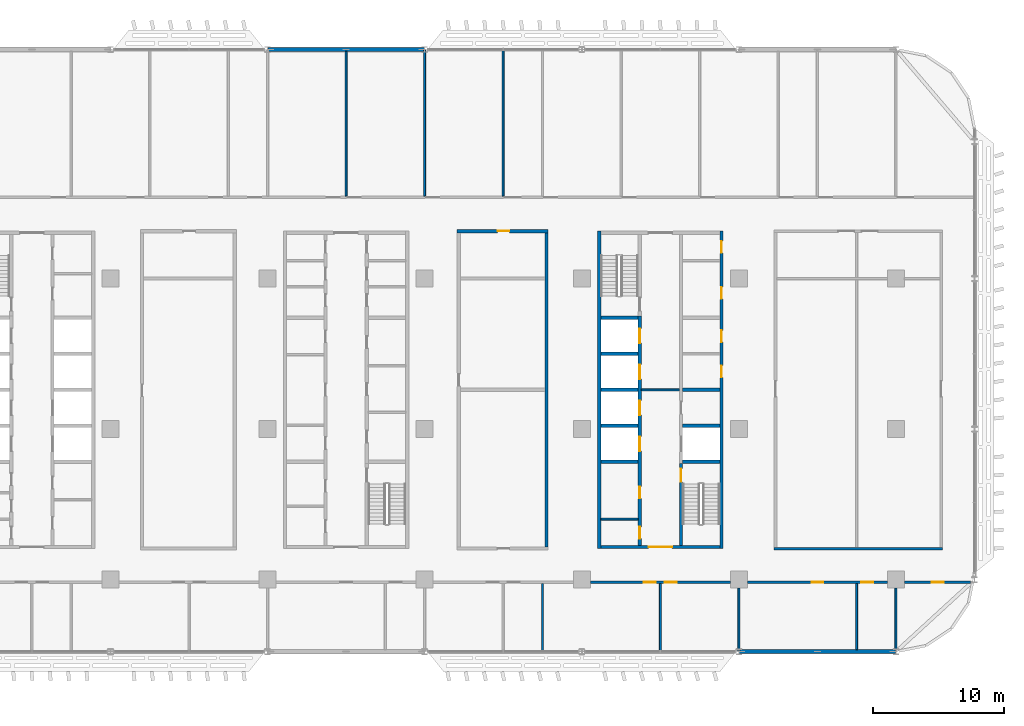
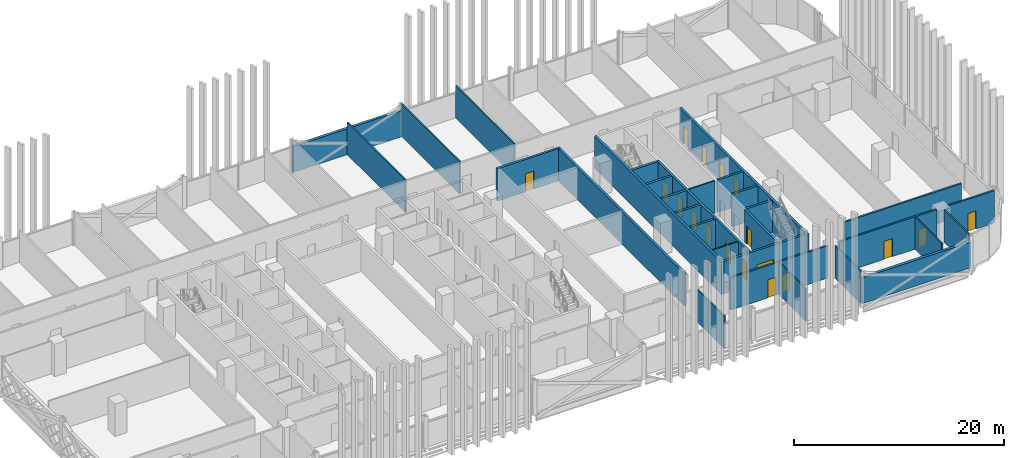
# One storey, part 17 of 32: 31 walls, 18 doors, 18 openings.
"""IFC4 building model written with IfcOpenShell, lengths in metres."""

from ifc_helpers import new_model, si_unit, direction, frame, frame_2d, origin, place, context, subcontext, project, spatial, rectangle, extrude, material, layer, layer_set, type_object, element, fill, save


model = new_model("IFC4")

# Units and contexts
model_context = context("Model", 3, precision=1e-05, world=origin(), true_north=direction((0.0, 1.0)))
body_context = subcontext(model_context, "Body", "Model", "MODEL_VIEW")
ifc_project = project(units=[si_unit("LENGTHUNIT", "METRE"), si_unit("AREAUNIT", "SQUARE_METRE"), si_unit("VOLUMEUNIT", "CUBIC_METRE"), si_unit("PLANEANGLEUNIT", "RADIAN"), si_unit("MASSUNIT", "GRAM", prefix="KILO")], contexts=[model_context])

# Site, building, storey
site_placement = place(None, origin())
site = spatial("IfcSite", under=ifc_project, at=site_placement, CompositionType="ELEMENT")
building_placement = place(site_placement, origin())
building = spatial("IfcBuilding", under=site, at=building_placement, Name="Mahtab Terrace Research Tower", CompositionType="ELEMENT")
storey_placement = place(building_placement, frame((0.0, 0.0, 138.39990234375)))
storey = spatial("IfcBuildingStorey", under=building, at=storey_placement, Name="L32", CompositionType="ELEMENT", Elevation=138.39990234375)

# Walls
ifc_material_1 = material(Name="Gypsum board partition")
ifc_layer_1 = layer(ifc_material_1, 0.14990234375)
ifc_layer_set_1 = layer_set([ifc_layer_1], Name="Core partition 150")
wall_type_1 = type_object("IfcWallType", Name="Core partition 150", PredefinedType="PARTITIONING", material=ifc_layer_set_1)
wall_1_placement = place(storey_placement, frame((22.550048828125, 3.0, 0.0), z_axis=(0.0, 0.0, 1.0), x_axis=(1.0, 0.0, 0.0)))
element("IfcWall", 1, at=wall_1_placement, inside=storey, type_object=wall_type_1, Name="Core wall C ffl", PredefinedType="PARTITIONING", context=body_context, shape_type="SweptSolid", body=[
    extrude(rectangle(XDim=2.89990234375, YDim=0.14990234375, at=frame_2d((1.449951171875, 0.0))), origin(), (0.0, 0.0, 1.0), 3.760009765625),
])
wall_2_placement = place(storey_placement, frame((19.449951171875, -6.875, 0.0), z_axis=(0.0, 0.0, 1.0), x_axis=(1.0, 0.0, 0.0)))
element("IfcWall", 2, at=wall_2_placement, inside=storey, type_object=wall_type_1, Name="Core wall C pWS-988", PredefinedType="PARTITIONING", context=body_context, shape_type="SweptSolid", body=[
    extrude(rectangle(XDim=2.85009765625, YDim=0.14990234375, at=frame_2d((1.425048828125, 0.0))), origin(), (0.0, 0.0, 1.0), 3.760009765625),
])
ifc_material_2 = material(Name="Concrete C70/85", Category="concrete")
ifc_layer_2 = layer(ifc_material_2, 0.25)
ifc_layer_set_2 = layer_set([ifc_layer_2], Name="Core wall 250")
wall_type_2 = type_object("IfcWallType", Name="Core wall 250", PredefinedType="SOLIDWALL", material=ifc_layer_set_2)
wall_3_placement = place(storey_placement, frame((19.324951171875, 15.125, 0.0), z_axis=(0.0, 0.0, 1.0), x_axis=(0.0, -1.0, 0.0)))
element("IfcWall", 3, at=wall_3_placement, inside=storey, type_object=wall_type_2, Name="Core wall C outerW", PredefinedType="SOLIDWALL", context=body_context, shape_type="SweptSolid", body=[
    extrude(rectangle(XDim=24.25, YDim=0.25, at=frame_2d((12.125, 0.0))), origin(), (0.0, 0.0, 1.0), 3.760009765625),
])

# Wall, openings, doors
wall_4_placement = place(storey_placement, frame((28.675048828125, -9.125, 0.0), z_axis=(0.0, 0.0, 1.0), x_axis=(0.0, 1.0, 0.0)))
wall_4 = element("IfcWall", 4, at=wall_4_placement, inside=storey, type_object=wall_type_2, Name="Core wall C outerE", PredefinedType="SOLIDWALL", context=body_context, shape_type="SweptSolid", body=[
    extrude(rectangle(XDim=24.25, YDim=0.25, at=frame_2d((12.125, 0.0))), origin(), (0.0, 0.0, 1.0), 3.760009765625),
])
opening_1_placement = place(wall_4_placement, frame((13.074951171875, 0.0, 0.0)))
opening_1 = element("IfcOpeningElement", 5, at=opening_1_placement, cuts=wall_4, Name="Opening C-R2", PredefinedType="OPENING", context=body_context, shape_type="SweptSolid", body=[
    extrude(rectangle(XDim=0.89990234375, YDim=2.10009765625, at=frame_2d((0.449951171875, 1.050048828125))), frame((0.0, 0.135009765625, 0.0), z_axis=(0.0, -1.0, 0.0), x_axis=(1.0, 0.0, 0.0)), (0.0, 0.0, 1.0), 0.27001953125),
])
opening_2_placement = place(wall_4_placement, frame((15.77490234375, 0.0, 0.0)))
opening_2 = element("IfcOpeningElement", 6, at=opening_2_placement, cuts=wall_4, Name="Opening C-R3", PredefinedType="OPENING", context=body_context, shape_type="SweptSolid", body=[
    extrude(rectangle(XDim=0.89990234375, YDim=2.10009765625, at=frame_2d((0.449951171875, 1.050048828125))), frame((0.0, 0.135009765625, 0.0), z_axis=(0.0, -1.0, 0.0), x_axis=(1.0, 0.0, 0.0)), (0.0, 0.0, 1.0), 0.27001953125),
])
opening_3_placement = place(wall_4_placement, frame((19.074951171875, 0.0, 0.0)))
opening_3 = element("IfcOpeningElement", 7, at=opening_3_placement, cuts=wall_4, Name="Opening C-R6", PredefinedType="OPENING", context=body_context, shape_type="SweptSolid", body=[
    extrude(rectangle(XDim=0.89990234375, YDim=2.10009765625, at=frame_2d((0.449951171875, 1.050048828125))), frame((0.0, 0.135009765625, 0.0), z_axis=(0.0, -1.0, 0.0), x_axis=(1.0, 0.0, 0.0)), (0.0, 0.0, 1.0), 0.27001953125),
])
opening_4_placement = place(wall_4_placement, frame((22.58740234375, 0.0, 0.0)))
opening_4 = element("IfcOpeningElement", 8, at=opening_4_placement, cuts=wall_4, Name="Opening C-R7", PredefinedType="OPENING", context=body_context, shape_type="SweptSolid", body=[
    extrude(rectangle(XDim=0.89990234375, YDim=2.10009765625, at=frame_2d((0.449951171875, 1.050048828125))), frame((0.0, 0.135009765625, 0.0), z_axis=(0.0, -1.0, 0.0), x_axis=(1.0, 0.0, 0.0)), (0.0, 0.0, 1.0), 0.27001953125),
])
ifc_material_3 = material(Name="Steel fire door", Category="steel")
door_type_1 = type_object("IfcDoorType", Name="Room door 900x2100 1 HR", OperationType="NOTDEFINED", PredefinedType="DOOR", material=ifc_material_3)
door_1_placement = place(opening_1_placement, origin())
door_1 = element("IfcDoor", 9, at=door_1_placement, inside=storey, type_object=door_type_1, Name="Document store door", OperationType="SINGLE_SWING_RIGHT", OverallHeight=2.10009765625, OverallWidth=0.89990234375, PredefinedType="DOOR", context=body_context, shape_type="SweptSolid", body=[
    extrude(rectangle(XDim=0.89990234375, YDim=2.10009765625, at=frame_2d((0.449951171875, 1.050048828125))), frame((0.0, 0.02490234375, 0.0), z_axis=(0.0, -1.0, 0.0), x_axis=(1.0, 0.0, 0.0)), (0.0, 0.0, 1.0), 0.050048828125),
])
fill(opening_1, door_1)
door_2_placement = place(opening_2_placement, origin())
door_2 = element("IfcDoor", 10, at=door_2_placement, inside=storey, type_object=door_type_1, Name="IT equipment room door", OperationType="SINGLE_SWING_LEFT", OverallHeight=2.10009765625, OverallWidth=0.89990234375, PredefinedType="DOOR", context=body_context, shape_type="SweptSolid", body=[
    extrude(rectangle(XDim=0.89990234375, YDim=2.10009765625, at=frame_2d((0.449951171875, 1.050048828125))), frame((0.0, 0.02490234375, 0.0), z_axis=(0.0, -1.0, 0.0), x_axis=(1.0, 0.0, 0.0)), (0.0, 0.0, 1.0), 0.050048828125),
])
fill(opening_2, door_2)
door_3_placement = place(opening_3_placement, origin())
door_3 = element("IfcDoor", 11, at=door_3_placement, inside=storey, type_object=door_type_1, Name="IT equipment room door", OperationType="SINGLE_SWING_RIGHT", OverallHeight=2.10009765625, OverallWidth=0.89990234375, PredefinedType="DOOR", context=body_context, shape_type="SweptSolid", body=[
    extrude(rectangle(XDim=0.89990234375, YDim=2.10009765625, at=frame_2d((0.449951171875, 1.050048828125))), frame((0.0, 0.02490234375, 0.0), z_axis=(0.0, -1.0, 0.0), x_axis=(1.0, 0.0, 0.0)), (0.0, 0.0, 1.0), 0.050048828125),
])
fill(opening_3, door_3)
door_4_placement = place(opening_4_placement, origin())
door_4 = element("IfcDoor", 12, at=door_4_placement, inside=storey, type_object=door_type_1, Name="Electrical riser room door", OperationType="SINGLE_SWING_LEFT", OverallHeight=2.10009765625, OverallWidth=0.89990234375, PredefinedType="DOOR", context=body_context, shape_type="SweptSolid", body=[
    extrude(rectangle(XDim=0.89990234375, YDim=2.10009765625, at=frame_2d((0.449951171875, 1.050048828125))), frame((0.0, 0.02490234375, 0.0), z_axis=(0.0, -1.0, 0.0), x_axis=(1.0, 0.0, 0.0)), (0.0, 0.0, 1.0), 0.050048828125),
])
fill(opening_4, door_4)

# Wall, opening, door
wall_5_placement = place(storey_placement, frame((28.550048828125, -9.0, 0.0), z_axis=(0.0, 0.0, 1.0), x_axis=(-1.0, 0.0, 0.0)))
wall_5 = element("IfcWall", 13, at=wall_5_placement, inside=storey, type_object=wall_type_2, Name="Core wall C endS", PredefinedType="SOLIDWALL", context=body_context, shape_type="SweptSolid", body=[
    extrude(rectangle(XDim=9.10009765625, YDim=0.25, at=frame_2d((4.550048828125, 0.0))), origin(), (0.0, 0.0, 1.0), 3.760009765625),
])
opening_5_placement = place(wall_5_placement, frame((3.64990234375, 0.0, 0.0)))
opening_5 = element("IfcOpeningElement", 14, at=opening_5_placement, cuts=wall_5, Name="Opening C-S1", PredefinedType="OPENING", context=body_context, shape_type="SweptSolid", body=[
    extrude(rectangle(XDim=1.800048828125, YDim=2.10009765625, at=frame_2d((0.89990234375, 1.050048828125))), frame((0.0, 0.135009765625, 0.0), z_axis=(0.0, -1.0, 0.0), x_axis=(1.0, 0.0, 0.0)), (0.0, 0.0, 1.0), 0.27001953125),
])
door_type_2 = type_object("IfcDoorType", Name="Lobby double door 1800x2100 1 HR", OperationType="DOUBLE_DOOR_SINGLE_SWING", PredefinedType="DOOR", material=ifc_material_3)
door_5_placement = place(opening_5_placement, origin())
door_5 = element("IfcDoor", 15, at=door_5_placement, inside=storey, type_object=door_type_2, Name="Core entrance door C S", OperationType="DOUBLE_DOOR_SINGLE_SWING", OverallHeight=2.10009765625, OverallWidth=1.800048828125, PredefinedType="DOOR", context=body_context, shape_type="SweptSolid", body=[
    extrude(rectangle(XDim=1.800048828125, YDim=2.10009765625, at=frame_2d((0.89990234375, 1.050048828125))), frame((0.0, 0.02490234375, 0.0), z_axis=(0.0, -1.0, 0.0), x_axis=(1.0, 0.0, 0.0)), (0.0, 0.0, 1.0), 0.050048828125),
])
fill(opening_5, door_5)

# Wall, openings, doors
wall_6_placement = place(storey_placement, frame((22.425048828125, -8.875, 0.0), z_axis=(0.0, 0.0, 1.0), x_axis=(0.0, 1.0, 0.0)))
wall_6 = element("IfcWall", 16, at=wall_6_placement, inside=storey, type_object=wall_type_2, Name="Core wall C innerWSL", PredefinedType="SOLIDWALL", context=body_context, shape_type="SweptSolid", body=[
    extrude(rectangle(XDim=17.5, YDim=0.25, at=frame_2d((8.75, 0.0))), origin(), (0.0, 0.0, 1.0), 3.760009765625),
])
opening_6_placement = place(wall_6_placement, frame((7.199951171875, 0.0, 0.0)))
opening_6 = element("IfcOpeningElement", 17, at=opening_6_placement, cuts=wall_6, Name="Opening LD17-L32", PredefinedType="OPENING", context=body_context, shape_type="SweptSolid", body=[
    extrude(rectangle(XDim=1.10009765625, YDim=2.10009765625, at=frame_2d((0.550048828125, 1.050048828125))), frame((0.0, 0.135009765625, 0.0), z_axis=(0.0, -1.0, 0.0), x_axis=(1.0, 0.0, 0.0)), (0.0, 0.0, 1.0), 0.27001953125),
])
opening_7_placement = place(wall_6_placement, frame((9.949951171875, 0.0, 0.0)))
opening_7 = element("IfcOpeningElement", 18, at=opening_7_placement, cuts=wall_6, Name="Opening LD18-L32", PredefinedType="OPENING", context=body_context, shape_type="SweptSolid", body=[
    extrude(rectangle(XDim=1.10009765625, YDim=2.10009765625, at=frame_2d((0.550048828125, 1.050048828125))), frame((0.0, 0.135009765625, 0.0), z_axis=(0.0, -1.0, 0.0), x_axis=(1.0, 0.0, 0.0)), (0.0, 0.0, 1.0), 0.27001953125),
])
opening_8_placement = place(wall_6_placement, frame((12.699951171875, 0.0, 0.0)))
opening_8 = element("IfcOpeningElement", 19, at=opening_8_placement, cuts=wall_6, Name="Opening LD19-L32", PredefinedType="OPENING", context=body_context, shape_type="SweptSolid", body=[
    extrude(rectangle(XDim=1.10009765625, YDim=2.10009765625, at=frame_2d((0.550048828125, 1.050048828125))), frame((0.0, 0.135009765625, 0.0), z_axis=(0.0, -1.0, 0.0), x_axis=(1.0, 0.0, 0.0)), (0.0, 0.0, 1.0), 0.27001953125),
])
opening_9_placement = place(wall_6_placement, frame((15.449951171875, 0.0, 0.0)))
opening_9 = element("IfcOpeningElement", 20, at=opening_9_placement, cuts=wall_6, Name="Opening LD20-L32", PredefinedType="OPENING", context=body_context, shape_type="SweptSolid", body=[
    extrude(rectangle(XDim=1.10009765625, YDim=2.10009765625, at=frame_2d((0.550048828125, 1.050048828125))), frame((0.0, 0.135009765625, 0.0), z_axis=(0.0, -1.0, 0.0), x_axis=(1.0, 0.0, 0.0)), (0.0, 0.0, 1.0), 0.27001953125),
])
opening_10_placement = place(wall_6_placement, frame((0.512451171875, 0.0, 0.0)))
opening_10 = element("IfcOpeningElement", 21, at=opening_10_placement, cuts=wall_6, Name="Opening C-R4", PredefinedType="OPENING", context=body_context, shape_type="SweptSolid", body=[
    extrude(rectangle(XDim=0.89990234375, YDim=2.10009765625, at=frame_2d((0.449951171875, 1.050048828125))), frame((0.0, 0.135009765625, 0.0), z_axis=(0.0, -1.0, 0.0), x_axis=(1.0, 0.0, 0.0)), (0.0, 0.0, 1.0), 0.27001953125),
])
opening_11_placement = place(wall_6_placement, frame((3.58740234375, 0.0, 0.0)))
opening_11 = element("IfcOpeningElement", 22, at=opening_11_placement, cuts=wall_6, Name="Opening C-R5", PredefinedType="OPENING", context=body_context, shape_type="SweptSolid", body=[
    extrude(rectangle(XDim=0.89990234375, YDim=2.10009765625, at=frame_2d((0.449951171875, 1.050048828125))), frame((0.0, 0.135009765625, 0.0), z_axis=(0.0, -1.0, 0.0), x_axis=(1.0, 0.0, 0.0)), (0.0, 0.0, 1.0), 0.27001953125),
])
ifc_material_4 = material(Name="Stainless steel AISI 304", Category="steel")
door_type_3 = type_object("IfcDoorType", Name="Landing door 1100x2100", OperationType="DOUBLE_DOOR_SLIDING", PredefinedType="DOOR", material=ifc_material_4)
door_6_placement = place(opening_6_placement, origin())
door_6 = element("IfcDoor", 23, at=door_6_placement, inside=storey, type_object=door_type_3, Name="Landing door SV1 L32", OperationType="DOUBLE_DOOR_SLIDING", OverallHeight=2.10009765625, OverallWidth=1.10009765625, PredefinedType="DOOR", context=body_context, shape_type="SweptSolid", body=[
    extrude(rectangle(XDim=1.10009765625, YDim=2.10009765625, at=frame_2d((0.550048828125, 1.050048828125))), frame((0.0, 0.02490234375, 0.0), z_axis=(0.0, -1.0, 0.0), x_axis=(1.0, 0.0, 0.0)), (0.0, 0.0, 1.0), 0.050048828125),
])
fill(opening_6, door_6)
door_7_placement = place(opening_7_placement, origin())
door_7 = element("IfcDoor", 24, at=door_7_placement, inside=storey, type_object=door_type_3, Name="Landing door SV2 L32", OperationType="DOUBLE_DOOR_SLIDING", OverallHeight=2.10009765625, OverallWidth=1.10009765625, PredefinedType="DOOR", context=body_context, shape_type="SweptSolid", body=[
    extrude(rectangle(XDim=1.10009765625, YDim=2.10009765625, at=frame_2d((0.550048828125, 1.050048828125))), frame((0.0, 0.02490234375, 0.0), z_axis=(0.0, -1.0, 0.0), x_axis=(1.0, 0.0, 0.0)), (0.0, 0.0, 1.0), 0.050048828125),
])
fill(opening_7, door_7)
door_8_placement = place(opening_8_placement, origin())
door_8 = element("IfcDoor", 25, at=door_8_placement, inside=storey, type_object=door_type_3, Name="Landing door FF1 L32", OperationType="DOUBLE_DOOR_SLIDING", OverallHeight=2.10009765625, OverallWidth=1.10009765625, PredefinedType="DOOR", context=body_context, shape_type="SweptSolid", body=[
    extrude(rectangle(XDim=1.10009765625, YDim=2.10009765625, at=frame_2d((0.550048828125, 1.050048828125))), frame((0.0, 0.02490234375, 0.0), z_axis=(0.0, -1.0, 0.0), x_axis=(1.0, 0.0, 0.0)), (0.0, 0.0, 1.0), 0.050048828125),
])
fill(opening_8, door_8)
door_9_placement = place(opening_9_placement, origin())
door_9 = element("IfcDoor", 26, at=door_9_placement, inside=storey, type_object=door_type_3, Name="Landing door FF2 L32", OperationType="DOUBLE_DOOR_SLIDING", OverallHeight=2.10009765625, OverallWidth=1.10009765625, PredefinedType="DOOR", context=body_context, shape_type="SweptSolid", body=[
    extrude(rectangle(XDim=1.10009765625, YDim=2.10009765625, at=frame_2d((0.550048828125, 1.050048828125))), frame((0.0, 0.02490234375, 0.0), z_axis=(0.0, -1.0, 0.0), x_axis=(1.0, 0.0, 0.0)), (0.0, 0.0, 1.0), 0.050048828125),
])
fill(opening_9, door_9)
door_10_placement = place(opening_10_placement, origin())
door_10 = element("IfcDoor", 27, at=door_10_placement, inside=storey, type_object=door_type_1, Name="Accessible WC door", OperationType="SINGLE_SWING_RIGHT", OverallHeight=2.10009765625, OverallWidth=0.89990234375, PredefinedType="DOOR", context=body_context, shape_type="SweptSolid", body=[
    extrude(rectangle(XDim=0.89990234375, YDim=2.10009765625, at=frame_2d((0.449951171875, 1.050048828125))), frame((0.0, 0.02490234375, 0.0), z_axis=(0.0, -1.0, 0.0), x_axis=(1.0, 0.0, 0.0)), (0.0, 0.0, 1.0), 0.050048828125),
])
fill(opening_10, door_10)
door_11_placement = place(opening_11_placement, origin())
door_11 = element("IfcDoor", 28, at=door_11_placement, inside=storey, type_object=door_type_1, Name="WC block door", OperationType="SINGLE_SWING_LEFT", OverallHeight=2.10009765625, OverallWidth=0.89990234375, PredefinedType="DOOR", context=body_context, shape_type="SweptSolid", body=[
    extrude(rectangle(XDim=0.89990234375, YDim=2.10009765625, at=frame_2d((0.449951171875, 1.050048828125))), frame((0.0, 0.02490234375, 0.0), z_axis=(0.0, -1.0, 0.0), x_axis=(1.0, 0.0, 0.0)), (0.0, 0.0, 1.0), 0.050048828125),
])
fill(opening_11, door_11)

# Wall, opening, door
wall_7_placement = place(storey_placement, frame((25.574951171875, -8.875, 0.0), z_axis=(0.0, 0.0, 1.0), x_axis=(0.0, 1.0, 0.0)))
wall_7 = element("IfcWall", 29, at=wall_7_placement, inside=storey, type_object=wall_type_2, Name="Core wall C innerES", PredefinedType="SOLIDWALL", context=body_context, shape_type="SweptSolid", body=[
    extrude(rectangle(XDim=6.25, YDim=0.25, at=frame_2d((3.125, 0.0))), origin(), (0.0, 0.0, 1.0), 3.760009765625),
])
opening_12_placement = place(wall_7_placement, frame((4.85009765625, 0.0, 0.0)))
opening_12 = element("IfcOpeningElement", 30, at=opening_12_placement, cuts=wall_7, Name="Opening C-ST4", PredefinedType="OPENING", context=body_context, shape_type="SweptSolid", body=[
    extrude(rectangle(XDim=1.0, YDim=2.10009765625, at=frame_2d((0.5, 1.050048828125))), frame((0.0, 0.135009765625, 0.0), z_axis=(0.0, -1.0, 0.0), x_axis=(1.0, 0.0, 0.0)), (0.0, 0.0, 1.0), 0.27001953125),
])
door_type_4 = type_object("IfcDoorType", Name="Stair door 1000x2100 1.5 HR", OperationType="NOTDEFINED", PredefinedType="DOOR", material=ifc_material_3)
door_12_placement = place(opening_12_placement, origin())
door_12 = element("IfcDoor", 31, at=door_12_placement, inside=storey, type_object=door_type_4, Name="Stair door ST4 L32", OperationType="SINGLE_SWING_LEFT", OverallHeight=2.10009765625, OverallWidth=1.0, PredefinedType="DOOR", context=body_context, shape_type="SweptSolid", body=[
    extrude(rectangle(XDim=1.0, YDim=2.10009765625, at=frame_2d((0.5, 1.050048828125))), frame((0.0, 0.02490234375, 0.0), z_axis=(0.0, -1.0, 0.0), x_axis=(1.0, 0.0, 0.0)), (0.0, 0.0, 1.0), 0.050048828125),
])
fill(opening_12, door_12)

# Walls
for number, where, z_axis, x_axis, name in (
    (32, (19.449951171875, -2.5, 0.0), (0.0, 0.0, 1.0), (1.0, 0.0, 0.0), "Core wall C divW0"),
    (33, (19.449951171875, 0.25, 0.0), (0.0, 0.0, 1.0), (1.0, 0.0, 0.0), "Core wall C divW1"),
    (34, (19.449951171875, 3.0, 0.0), (0.0, 0.0, 1.0), (1.0, 0.0, 0.0), "Core wall C divW2"),
    (35, (19.449951171875, 5.75, 0.0), (0.0, 0.0, 1.0), (1.0, 0.0, 0.0), "Core wall C divW3"),
    (36, (19.449951171875, 8.5, 0.0), (0.0, 0.0, 1.0), (1.0, 0.0, 0.0), "Core wall C divW4"),
    (37, (25.699951171875, -2.5, 0.0), (0.0, 0.0, 1.0), (1.0, 0.0, 0.0), "Core wall C divE0"),
    (38, (25.699951171875, 0.25, 0.0), (0.0, 0.0, 1.0), (1.0, 0.0, 0.0), "Core wall C divE1"),
    (39, (25.699951171875, 3.0, 0.0), (0.0, 0.0, 1.0), (1.0, 0.0, 0.0), "Core wall C divE2"),
):
    element("IfcWall", number, at=place(storey_placement, frame(where, z_axis=z_axis, x_axis=x_axis)), inside=storey, type_object=wall_type_2, Name=name, PredefinedType="SOLIDWALL", context=body_context, shape_type="SweptSolid", body=[
        extrude(rectangle(XDim=2.85009765625, YDim=0.25, at=frame_2d((1.425048828125, 0.0))), origin(), (0.0, 0.0, 1.0), 3.760009765625),
    ])
ifc_material_5 = material(Name="Black aluminium cladding panel", Category="aluminium")
ifc_layer_3 = layer(ifc_material_5, 0.300048828125)
ifc_layer_set_3 = layer_set([ifc_layer_3], Name="Opaque facade wall 300")
wall_type_3 = type_object("IfcWallType", Name="Opaque facade wall 300", PredefinedType="NOTDEFINED", material=ifc_layer_set_3)
for number, where, z_axis, x_axis, name in (
    (40, (5.982177734375, 29.0, 0.0), (0.0, 0.0, 1.0), (-1.0, 0.0, 0.0), "Opaque facade wall L32 N6"),
    (41, (30.017822265625, -17.0, 0.0), (0.0, 0.0, 1.0), (1.0, 0.0, 0.0), "Opaque facade wall L32 S30"),
):
    element("IfcWall", number, at=place(storey_placement, frame(where, z_axis=z_axis, x_axis=x_axis)), inside=storey, type_object=wall_type_3, Name=name, PredefinedType="NOTDEFINED", context=body_context, shape_type="SweptSolid", body=[
        extrude(rectangle(XDim=11.96435546875, YDim=0.300048828125, at=frame_2d((5.982177734375, 0.0))), origin(), (0.0, 0.0, 1.0), 3.003173828125),
    ])

# Wall, opening, door
ifc_material_6 = material(Name="Masonry control area wall", Category="masonry")
ifc_layer_4 = layer(ifc_material_6, 0.25)
ifc_layer_set_4 = layer_set([ifc_layer_4], Name="WALL CONTROL AREA 250")
wall_type_4 = type_object("IfcWallType", Name="WALL CONTROL AREA 250", PredefinedType="PARTITIONING", material=ifc_layer_set_4)
wall_8_placement = place(storey_placement, frame((8.47509765625, 15.125, 0.0), z_axis=(0.0, 0.0, 1.0), x_axis=(1.0, 0.0, 0.0)))
wall_8 = element("IfcWall", 42, at=wall_8_placement, inside=storey, type_object=wall_type_4, Name="L32-W024", PredefinedType="PARTITIONING", context=body_context, shape_type="SweptSolid", body=[
    extrude(rectangle(XDim=6.949951171875, YDim=0.25, at=frame_2d((3.47509765625, 0.0))), origin(), (0.0, 0.0, 1.0), 3.760009765625),
])
opening_13_placement = place(wall_8_placement, frame((3.10009765625, 0.0, 0.0)))
opening_13 = element("IfcOpeningElement", 43, at=opening_13_placement, cuts=wall_8, Name="Opening L32-126", PredefinedType="OPENING", context=body_context, shape_type="SweptSolid", body=[
    extrude(rectangle(XDim=0.89990234375, YDim=2.10009765625, at=frame_2d((0.449951171875, 1.050048828125))), frame((0.0, 0.135009765625, 0.0), z_axis=(0.0, -1.0, 0.0), x_axis=(1.0, 0.0, 0.0)), (0.0, 0.0, 1.0), 0.27001953125),
])
ifc_material_7 = material(Name="Timber door leaf in steel frame", Category="steel")
door_type_5 = type_object("IfcDoorType", Name="DOOR 0900X2100 FD120", OperationType="SINGLE_SWING_LEFT", PredefinedType="DOOR", material=ifc_material_7)
door_13_placement = place(opening_13_placement, origin())
door_13 = element("IfcDoor", 44, at=door_13_placement, inside=storey, type_object=door_type_5, Name="Door L32-126", OperationType="SINGLE_SWING_LEFT", OverallHeight=2.10009765625, OverallWidth=0.89990234375, PredefinedType="DOOR", context=body_context, shape_type="SweptSolid", body=[
    extrude(rectangle(XDim=0.89990234375, YDim=2.10009765625, at=frame_2d((0.449951171875, 1.050048828125))), frame((0.0, 0.02490234375, 0.0), z_axis=(0.0, -1.0, 0.0), x_axis=(1.0, 0.0, 0.0)), (0.0, 0.0, 1.0), 0.050048828125),
])
fill(opening_13, door_13)

# Wall
wall_9_placement = place(storey_placement, frame((15.300048828125, -9.0, 0.0), z_axis=(0.0, 0.0, 1.0), x_axis=(0.0, 1.0, 0.0)))
element("IfcWall", 45, at=wall_9_placement, inside=storey, type_object=wall_type_4, Name="L32-W054", PredefinedType="PARTITIONING", context=body_context, shape_type="SweptSolid", body=[
    extrude(rectangle(XDim=24.0, YDim=0.25, at=frame_2d((12.0, 0.0))), origin(), (0.0, 0.0, 1.0), 3.760009765625),
])

# Wall, openings, doors
ifc_material_8 = material(Name="Gypsum board corridor wall on steel studs", Category="steel")
ifc_layer_5 = layer(ifc_material_8, 0.199951171875)
ifc_layer_set_5 = layer_set([ifc_layer_5], Name="WALL CORRIDOR 200")
wall_type_5 = type_object("IfcWallType", Name="WALL CORRIDOR 200", PredefinedType="PARTITIONING", material=ifc_layer_set_5)
wall_10_placement = place(storey_placement, frame((18.64990234375, -11.699951171875, 0.0), z_axis=(0.0, 0.0, 1.0), x_axis=(1.0, 0.0, 0.0)))
wall_10 = element("IfcWall", 46, at=wall_10_placement, inside=storey, type_object=wall_type_5, Name="L32-W007", PredefinedType="PARTITIONING", context=body_context, shape_type="SweptSolid", body=[
    extrude(rectangle(XDim=10.7001953125, YDim=0.199951171875, at=frame_2d((5.35009765625, 0.0))), origin(), (0.0, 0.0, 1.0), 3.760009765625),
])
opening_14_placement = place(wall_10_placement, frame((4.10009765625, 0.0, 0.0)))
opening_14 = element("IfcOpeningElement", 47, at=opening_14_placement, cuts=wall_10, Name="Opening L32-112", PredefinedType="OPENING", context=body_context, shape_type="SweptSolid", body=[
    extrude(rectangle(XDim=0.89990234375, YDim=2.10009765625, at=frame_2d((0.449951171875, 1.050048828125))), frame((0.0, 0.10986328125, 0.0), z_axis=(0.0, -1.0, 0.0), x_axis=(1.0, 0.0, 0.0)), (0.0, 0.0, 1.0), 0.219970703125),
])
opening_15_placement = place(wall_10_placement, frame((5.699951171875, 0.0, 0.0)))
opening_15 = element("IfcOpeningElement", 48, at=opening_15_placement, cuts=wall_10, Name="Opening L32-113", PredefinedType="OPENING", context=body_context, shape_type="SweptSolid", body=[
    extrude(rectangle(XDim=0.89990234375, YDim=2.10009765625, at=frame_2d((0.449951171875, 1.050048828125))), frame((0.0, 0.10986328125, 0.0), z_axis=(0.0, -1.0, 0.0), x_axis=(1.0, 0.0, 0.0)), (0.0, 0.0, 1.0), 0.219970703125),
])
door_type_6 = type_object("IfcDoorType", Name="DOOR 0900X2100 FD30S", OperationType="SINGLE_SWING_LEFT", PredefinedType="DOOR", material=ifc_material_7)
door_14_placement = place(opening_14_placement, origin())
door_14 = element("IfcDoor", 49, at=door_14_placement, inside=storey, type_object=door_type_6, Name="Door L32-112", OperationType="SINGLE_SWING_RIGHT", OverallHeight=2.10009765625, OverallWidth=0.89990234375, PredefinedType="DOOR", context=body_context, shape_type="SweptSolid", body=[
    extrude(rectangle(XDim=0.89990234375, YDim=2.10009765625, at=frame_2d((0.449951171875, 1.050048828125))), frame((0.0, 0.02490234375, 0.0), z_axis=(0.0, -1.0, 0.0), x_axis=(1.0, 0.0, 0.0)), (0.0, 0.0, 1.0), 0.050048828125),
])
fill(opening_14, door_14)
door_15_placement = place(opening_15_placement, origin())
door_15 = element("IfcDoor", 50, at=door_15_placement, inside=storey, type_object=door_type_6, Name="Door L32-113", OperationType="SINGLE_SWING_LEFT", OverallHeight=2.10009765625, OverallWidth=0.89990234375, PredefinedType="DOOR", context=body_context, shape_type="SweptSolid", body=[
    extrude(rectangle(XDim=0.89990234375, YDim=2.10009765625, at=frame_2d((0.449951171875, 1.050048828125))), frame((0.0, 0.02490234375, 0.0), z_axis=(0.0, -1.0, 0.0), x_axis=(1.0, 0.0, 0.0)), (0.0, 0.0, 1.0), 0.050048828125),
])
fill(opening_15, door_15)

wall_11_placement = place(storey_placement, frame((30.64990234375, -11.699951171875, 0.0), z_axis=(0.0, 0.0, 1.0), x_axis=(1.0, 0.0, 0.0)))
wall_11 = element("IfcWall", 51, at=wall_11_placement, inside=storey, type_object=wall_type_5, Name="L32-W008", PredefinedType="PARTITIONING", context=body_context, shape_type="SweptSolid", body=[
    extrude(rectangle(XDim=10.7001953125, YDim=0.199951171875, at=frame_2d((5.35009765625, 0.0))), origin(), (0.0, 0.0, 1.0), 3.760009765625),
])
opening_16_placement = place(wall_11_placement, frame((4.89990234375, 0.0, 0.0)))
opening_16 = element("IfcOpeningElement", 52, at=opening_16_placement, cuts=wall_11, Name="Opening L32-114", PredefinedType="OPENING", context=body_context, shape_type="SweptSolid", body=[
    extrude(rectangle(XDim=0.89990234375, YDim=2.10009765625, at=frame_2d((0.449951171875, 1.050048828125))), frame((0.0, 0.10986328125, 0.0), z_axis=(0.0, -1.0, 0.0), x_axis=(1.0, 0.0, 0.0)), (0.0, 0.0, 1.0), 0.219970703125),
])
opening_17_placement = place(wall_11_placement, frame((8.699951171875, 0.0, 0.0)))
opening_17 = element("IfcOpeningElement", 53, at=opening_17_placement, cuts=wall_11, Name="Opening L32-115", PredefinedType="OPENING", context=body_context, shape_type="SweptSolid", body=[
    extrude(rectangle(XDim=0.89990234375, YDim=2.10009765625, at=frame_2d((0.449951171875, 1.050048828125))), frame((0.0, 0.10986328125, 0.0), z_axis=(0.0, -1.0, 0.0), x_axis=(1.0, 0.0, 0.0)), (0.0, 0.0, 1.0), 0.219970703125),
])
door_16_placement = place(opening_16_placement, origin())
door_16 = element("IfcDoor", 54, at=door_16_placement, inside=storey, type_object=door_type_6, Name="Door L32-114", OperationType="SINGLE_SWING_RIGHT", OverallHeight=2.10009765625, OverallWidth=0.89990234375, PredefinedType="DOOR", context=body_context, shape_type="SweptSolid", body=[
    extrude(rectangle(XDim=0.89990234375, YDim=2.10009765625, at=frame_2d((0.449951171875, 1.050048828125))), frame((0.0, 0.02490234375, 0.0), z_axis=(0.0, -1.0, 0.0), x_axis=(1.0, 0.0, 0.0)), (0.0, 0.0, 1.0), 0.050048828125),
])
fill(opening_16, door_16)
door_17_placement = place(opening_17_placement, origin())
door_17 = element("IfcDoor", 55, at=door_17_placement, inside=storey, type_object=door_type_6, Name="Door L32-115", OperationType="SINGLE_SWING_LEFT", OverallHeight=2.10009765625, OverallWidth=0.89990234375, PredefinedType="DOOR", context=body_context, shape_type="SweptSolid", body=[
    extrude(rectangle(XDim=0.89990234375, YDim=2.10009765625, at=frame_2d((0.449951171875, 1.050048828125))), frame((0.0, 0.02490234375, 0.0), z_axis=(0.0, -1.0, 0.0), x_axis=(1.0, 0.0, 0.0)), (0.0, 0.0, 1.0), 0.050048828125),
])
fill(opening_17, door_17)

# Wall, opening, door
wall_12_placement = place(storey_placement, frame((42.64990234375, -11.699951171875, 0.0), z_axis=(0.0, 0.0, 1.0), x_axis=(1.0, 0.0, 0.0)))
wall_12 = element("IfcWall", 56, at=wall_12_placement, inside=storey, type_object=wall_type_5, Name="L32-W009", PredefinedType="PARTITIONING", context=body_context, shape_type="SweptSolid", body=[
    extrude(rectangle(XDim=5.057861328125, YDim=0.199951171875, at=frame_2d((2.52880859375, 0.0))), origin(), (0.0, 0.0, 1.0), 3.760009765625),
])
opening_18_placement = place(wall_12_placement, frame((2.10009765625, 0.0, 0.0)))
opening_18 = element("IfcOpeningElement", 57, at=opening_18_placement, cuts=wall_12, Name="Opening L32-116", PredefinedType="OPENING", context=body_context, shape_type="SweptSolid", body=[
    extrude(rectangle(XDim=0.89990234375, YDim=2.10009765625, at=frame_2d((0.449951171875, 1.050048828125))), frame((0.0, 0.10986328125, 0.0), z_axis=(0.0, -1.0, 0.0), x_axis=(1.0, 0.0, 0.0)), (0.0, 0.0, 1.0), 0.219970703125),
])
door_18_placement = place(opening_18_placement, origin())
door_18 = element("IfcDoor", 58, at=door_18_placement, inside=storey, type_object=door_type_6, Name="Door L32-116", OperationType="SINGLE_SWING_LEFT", OverallHeight=2.10009765625, OverallWidth=0.89990234375, PredefinedType="DOOR", context=body_context, shape_type="SweptSolid", body=[
    extrude(rectangle(XDim=0.89990234375, YDim=2.10009765625, at=frame_2d((0.449951171875, 1.050048828125))), frame((0.0, 0.02490234375, 0.0), z_axis=(0.0, -1.0, 0.0), x_axis=(1.0, 0.0, 0.0)), (0.0, 0.0, 1.0), 0.050048828125),
])
fill(opening_18, door_18)

# Walls
wall_13_placement = place(storey_placement, frame((32.699951171875, -9.125, 0.0), z_axis=(0.0, 0.0, 1.0), x_axis=(1.0, 0.0, 0.0)))
element("IfcWall", 59, at=wall_13_placement, inside=storey, type_object=wall_type_5, Name="L32-W013", PredefinedType="PARTITIONING", context=body_context, shape_type="SweptSolid", body=[
    extrude(rectangle(XDim=12.85009765625, YDim=0.199951171875, at=frame_2d((6.425048828125, 0.0))), origin(), (0.0, 0.0, 1.0), 3.760009765625),
])
ifc_material_9 = material(Name="Gypsum board partition on steel studs", Category="steel")
ifc_layer_6 = layer(ifc_material_9, 0.14990234375)
ifc_layer_set_6 = layer_set([ifc_layer_6], Name="WALL PARTITION 150")
wall_type_6 = type_object("IfcWallType", Name="WALL PARTITION 150", PredefinedType="PARTITIONING", material=ifc_layer_set_6)
wall_14_placement = place(storey_placement, frame((0.0, 17.800048828125, 0.0), z_axis=(0.0, 0.0, 1.0), x_axis=(0.0, 1.0, 0.0)))
element("IfcWall", 60, at=wall_14_placement, inside=storey, type_object=wall_type_6, Name="L32-W045", PredefinedType="PARTITIONING", context=body_context, shape_type="SweptSolid", body=[
    extrude(rectangle(XDim=11.050048828125, YDim=0.14990234375, at=frame_2d((5.52490234375, 0.0))), origin(), (0.0, 0.0, 1.0), 3.760009765625),
])
for number, where, z_axis, x_axis, name in (
    (61, (6.0, 17.800048828125, 0.0), (0.0, 0.0, 1.0), (0.0, 1.0, 0.0), "L32-W048"),
    (62, (12.0, 17.800048828125, 0.0), (0.0, 0.0, 1.0), (0.0, 1.0, 0.0), "L32-W051"),
):
    element("IfcWall", number, at=place(storey_placement, frame(where, z_axis=z_axis, x_axis=x_axis)), inside=storey, type_object=wall_type_6, Name=name, PredefinedType="PARTITIONING", context=body_context, shape_type="SweptSolid", body=[
        extrude(rectangle(XDim=11.175048828125, YDim=0.14990234375, at=frame_2d((5.58740234375, 0.0))), origin(), (0.0, 0.0, 1.0), 3.760009765625),
    ])
for number, where, z_axis, x_axis, name in (
    (63, (15.0, -16.97509765625, 0.0), (0.0, 0.0, 1.0), (0.0, 1.0, 0.0), "L32-W052"),
    (64, (24.0, -16.97509765625, 0.0), (0.0, 0.0, 1.0), (0.0, 1.0, 0.0), "L32-W056"),
):
    element("IfcWall", number, at=place(storey_placement, frame(where, z_axis=z_axis, x_axis=x_axis)), inside=storey, type_object=wall_type_6, Name=name, PredefinedType="PARTITIONING", context=body_context, shape_type="SweptSolid", body=[
        extrude(rectangle(XDim=5.175048828125, YDim=0.14990234375, at=frame_2d((2.58740234375, 0.0))), origin(), (0.0, 0.0, 1.0), 3.760009765625),
    ])
wall_15_placement = place(storey_placement, frame((30.0, -16.97509765625, 0.0), z_axis=(0.0, 0.0, 1.0), x_axis=(0.0, 1.0, 0.0)))
element("IfcWall", 65, at=wall_15_placement, inside=storey, type_object=wall_type_6, Name="L32-W058", PredefinedType="PARTITIONING", context=body_context, shape_type="SweptSolid", body=[
    extrude(rectangle(XDim=4.8251953125, YDim=0.14990234375, at=frame_2d((2.41259765625, 0.0))), origin(), (0.0, 0.0, 1.0), 3.760009765625),
])
wall_16_placement = place(storey_placement, frame((39.0, -16.85009765625, 0.0), z_axis=(0.0, 0.0, 1.0), x_axis=(0.0, 1.0, 0.0)))
element("IfcWall", 66, at=wall_16_placement, inside=storey, type_object=wall_type_6, Name="L32-W062", PredefinedType="PARTITIONING", context=body_context, shape_type="SweptSolid", body=[
    extrude(rectangle(XDim=5.050048828125, YDim=0.14990234375, at=frame_2d((2.52490234375, 0.0))), origin(), (0.0, 0.0, 1.0), 3.760009765625),
])
wall_17_placement = place(storey_placement, frame((42.0, -16.84716796875, 0.0), z_axis=(0.0, 0.0, 1.0), x_axis=(0.0, 1.0, 0.0)))
element("IfcWall", 67, at=wall_17_placement, inside=storey, type_object=wall_type_6, Name="L32-W064", PredefinedType="PARTITIONING", context=body_context, shape_type="SweptSolid", body=[
    extrude(rectangle(XDim=4.697265625, YDim=0.14990234375, at=frame_2d((2.3486328125, 0.0))), origin(), (0.0, 0.0, 1.0), 3.760009765625),
])

save(model, "model.ifc")
